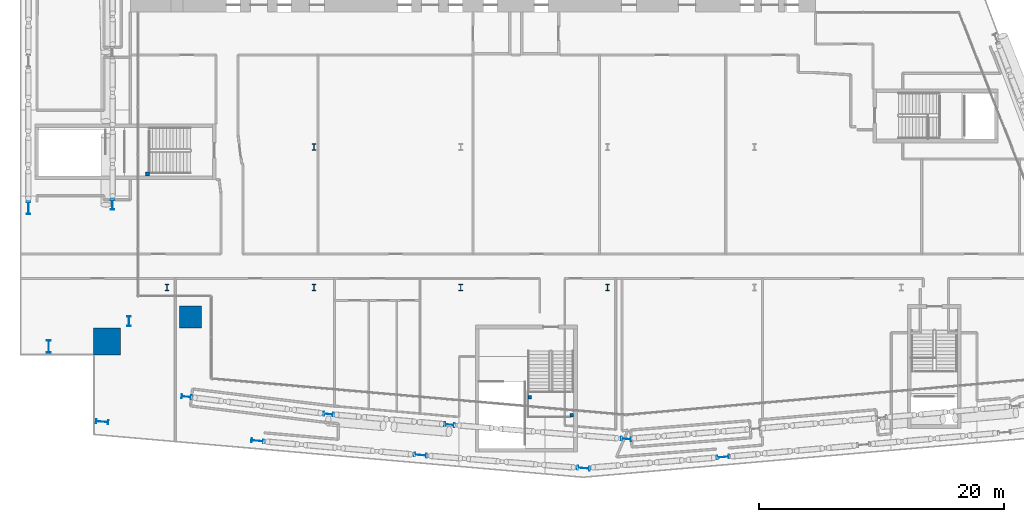
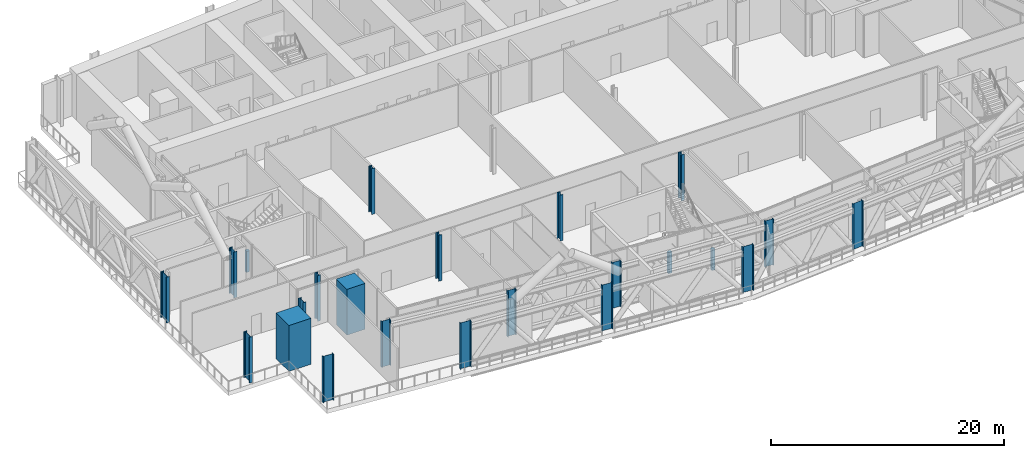
# One storey, part 1 of 39: 23 columns.
"""IFC4 building model written with IfcOpenShell, lengths in metres."""

from ifc_helpers import new_model, si_unit, direction, frame, origin, origin_2d, place, context, subcontext, project, spatial, rectangle, i_section, extrude, material, material_profile, profile_set, type_object, element, save


model = new_model("IFC4")

# Units and contexts
model_context = context("Model", 3, precision=1e-05, world=origin(), true_north=direction((0.0, 1.0)))
body_context = subcontext(model_context, "Body", "Model", "MODEL_VIEW")
ifc_project = project(units=[si_unit("LENGTHUNIT", "METRE"), si_unit("AREAUNIT", "SQUARE_METRE"), si_unit("VOLUMEUNIT", "CUBIC_METRE"), si_unit("PLANEANGLEUNIT", "RADIAN"), si_unit("MASSUNIT", "GRAM", prefix="KILO")], contexts=[model_context])

# Site, building, storey
site_placement = place(None, origin())
site = spatial("IfcSite", under=ifc_project, at=site_placement, CompositionType="ELEMENT")
building_placement = place(site_placement, origin())
building = spatial("IfcBuilding", under=site, at=building_placement, Name="Wharfspan Tower", CompositionType="ELEMENT")
storey_placement = place(building_placement, frame((0.0, 0.0, 91.899902)))
storey = spatial("IfcBuildingStorey", under=building, at=storey_placement, Name="L20", CompositionType="ELEMENT", Elevation=91.899902)

# Columns
ifc_material_1 = material(Name="Steel S355J2", Category="steel")
ifc_material_profile_1 = material_profile(ifc_material_1, i_section(OverallWidth=0.302002, OverallDepth=1.008057, WebThickness=0.020996, FlangeThickness=0.040039, FilletRadius=0.030029, at=origin_2d()))
ifc_profile_set_1 = profile_set([ifc_material_profile_1], Name="Steel S355J2")
column_type_1 = type_object("IfcColumnType", Name="Column HEM 1000", PredefinedType="COLUMN", material=ifc_profile_set_1)
for number, where, z_axis, x_axis, name in (
    (1, (6.694336, 0.528564, 0.0), (0.0, 0.0, 1.0), (-0.087156, -0.996198, 0.0), "Perimeter column PS1.1.S L20"),
    (2, (19.390869, -1.033936, 0.0), (0.0, 0.0, 1.0), (-0.087156, -0.996198, 0.0), "Perimeter column PS1.2.S L20"),
    (3, (32.724121, -2.200439, 0.0), (0.0, 0.0, 1.0), (-0.087156, -0.996198, 0.0), "Perimeter column PS1.3.S L20"),
    (4, (46.04248, -3.268066, 0.0), (0.0, 0.0, 1.0), (-0.087156, -0.996198, 0.0), "Perimeter column PS1.4.S L20"),
    (5, (57.442383, -2.36084, 0.0), (0.0, 0.0, 1.0), (0.087156, -0.996198, 0.0), "Perimeter column PS2.1.S L20"),
    (6, (0.659912, 18.0, 0.0), (0.0, 0.0, 1.0), (-1.0, 0.0, 0.0), "Perimeter column PW.2.S L20"),
    (7, (2.331787, 6.66748, 0.0), (0.0, 0.0, 1.0), (-1.0, 0.0, 0.0), "Perimeter column PW.3.S L20"),
):
    element("IfcColumn", number, at=place(storey_placement, frame(where, z_axis=z_axis, x_axis=x_axis)), inside=storey, type_object=column_type_1, Name=name, PredefinedType="COLUMN", context=body_context, shape_type="SweptSolid", body=[
        extrude(i_section(OverallWidth=0.302002, OverallDepth=1.008057, WebThickness=0.020996, FlangeThickness=0.040039, FilletRadius=0.030029, at=origin_2d()), origin(), (0.0, 0.0, 1.0), 4.800049),
    ])
ifc_material_profile_2 = material_profile(ifc_material_1, i_section(OverallWidth=0.305908, OverallDepth=0.523926, WebThickness=0.020996, FlangeThickness=0.040039, FilletRadius=0.0271, at=origin_2d()))
ifc_profile_set_2 = profile_set([ifc_material_profile_2], Name="Steel S355J2")
column_type_2 = type_object("IfcColumnType", Name="Column HEM 500", PredefinedType="COLUMN", material=ifc_profile_set_2)
for number, where, z_axis, x_axis, name in (
    (8, (12.0, 11.5, 0.0), (0.0, 0.0, 1.0), (1.0, 0.0, 0.0), "Interior column I.1.1 L20"),
    (9, (24.0, 11.5, 0.0), (0.0, 0.0, 1.0), (1.0, 0.0, 0.0), "Interior column I.1.2 L20"),
    (10, (36.0, 11.5, 0.0), (0.0, 0.0, 1.0), (1.0, 0.0, 0.0), "Interior column I.1.3 L20"),
    (11, (48.0, 11.5, 0.0), (0.0, 0.0, 1.0), (1.0, 0.0, 0.0), "Interior column I.1.4 L20"),
    (12, (24.0, 23.0, 0.0), (0.0, 0.0, 1.0), (1.0, 0.0, 0.0), "Interior column I.2.1 L20"),
):
    element("IfcColumn", number, at=place(storey_placement, frame(where, z_axis=z_axis, x_axis=x_axis)), inside=storey, type_object=column_type_2, Name=name, PredefinedType="COLUMN", context=body_context, shape_type="SweptSolid", body=[
        extrude(i_section(OverallWidth=0.305908, OverallDepth=0.523926, WebThickness=0.020996, FlangeThickness=0.040039, FilletRadius=0.0271, at=origin_2d()), origin(), (0.0, 0.0, 1.0), 4.800049),
    ])
ifc_material_profile_3 = material_profile(ifc_material_1, i_section(OverallWidth=0.302979, OverallDepth=0.813965, WebThickness=0.020996, FlangeThickness=0.040039, FilletRadius=0.030029, at=origin_2d()))
ifc_profile_set_3 = profile_set([ifc_material_profile_3], Name="Steel S355J2")
column_type_3 = type_object("IfcColumnType", Name="Column HEM 800", PredefinedType="COLUMN", material=ifc_profile_set_3)
for number, where, z_axis, x_axis, name in (
    (13, (13.590576, 2.569336, 0.0), (0.0, 0.0, 1.0), (-0.087156, -0.996198, 0.0), "Perimeter column PS1.1 L20"),
    (14, (25.213623, 1.148682, 0.0), (0.0, 0.0, 1.0), (-0.087156, -0.996198, 0.0), "Perimeter column PS1.2 L20"),
    (15, (35.089111, 0.284668, 0.0), (0.0, 0.0, 1.0), (-0.087156, -0.996198, 0.0), "Perimeter column PS1.3 L20"),
    (16, (49.53125, -0.881592, 0.0), (0.0, 0.0, 1.0), (-0.087156, -0.996198, 0.0), "Perimeter column PS1.4 L20"),
    (17, (7.540039, 18.266602, 0.0), (0.0, 0.0, 1.0), (-1.0, 0.0, 0.0), "Perimeter column PW.2 L20"),
    (18, (8.884521, 8.742676, 0.0), (0.0, 0.0, 1.0), (-1.0, 0.0, 0.0), "Perimeter column PW.3 L20"),
):
    element("IfcColumn", number, at=place(storey_placement, frame(where, z_axis=z_axis, x_axis=x_axis)), inside=storey, type_object=column_type_3, Name=name, PredefinedType="COLUMN", context=body_context, shape_type="SweptSolid", body=[
        extrude(i_section(OverallWidth=0.302979, OverallDepth=0.813965, WebThickness=0.020996, FlangeThickness=0.040039, FilletRadius=0.030029, at=origin_2d()), origin(), (0.0, 0.0, 1.0), 4.800049),
    ])
ifc_material_2 = material(Name="Concrete C40/50", Category="concrete")
ifc_material_profile_4 = material_profile(ifc_material_2, rectangle(XDim=0.300049, YDim=0.300049, at=origin_2d()))
ifc_profile_set_4 = profile_set([ifc_material_profile_4], Name="Concrete C40/50")
column_type_4 = type_object("IfcColumnType", Name="Landing pier 300 C40/50", PredefinedType="COLUMN", material=ifc_profile_set_4)
for number, where, z_axis, x_axis, name in (
    (19, (10.389893, 20.774902, 0.0), (0.0, 0.0, 1.0), (1.0, 0.0, 0.0), "ST3 landing pier L20"),
    (20, (41.63501, 2.51709, 0.0), (0.0, 0.0, 1.0), (1.0, 0.0, 0.0), "ST4 landing pier L20"),
    (21, (45.084961, 1.066895, 0.0), (0.0, 0.0, 1.0), (1.0, 0.0, 0.0), "ST4 landing pier L20"),
):
    element("IfcColumn", number, at=place(storey_placement, frame(where, z_axis=z_axis, x_axis=x_axis)), inside=storey, type_object=column_type_4, Name=name, PredefinedType="COLUMN", context=body_context, shape_type="SweptSolid", body=[
        extrude(rectangle(XDim=0.300049, YDim=0.300049, at=origin_2d()), origin(), (0.0, 0.0, 1.0), 2.200195),
    ])
ifc_material_3 = material(Name="Concrete C70/85", Category="concrete")
ifc_material_profile_5 = material_profile(ifc_material_3, rectangle(XDim=1.800049, YDim=1.800049, at=origin_2d()))
ifc_profile_set_5 = profile_set([ifc_material_profile_5], Name="Concrete C70/85")
column_type_5 = type_object("IfcColumnType", Name="Mega column 1800 C70/85", PredefinedType="COLUMN", material=ifc_profile_set_5)
column_1_placement = place(storey_placement, frame((13.899902, 9.100098, 0.0), z_axis=(0.0, 0.0, 1.0), x_axis=(1.0, 0.0, 0.0)))
element("IfcColumn", 22, at=column_1_placement, inside=storey, type_object=column_type_5, Name="Mega column MC1 L20", PredefinedType="COLUMN", context=body_context, shape_type="SweptSolid", body=[
    extrude(rectangle(XDim=1.800049, YDim=1.800049, at=origin_2d()), origin(), (0.0, 0.0, 1.0), 4.800049),
])
ifc_material_profile_6 = material_profile(ifc_material_3, rectangle(XDim=2.199951, YDim=2.199951, at=origin_2d()))
ifc_profile_set_6 = profile_set([ifc_material_profile_6], Name="Concrete C70/85")
column_type_6 = type_object("IfcColumnType", Name="Mega column 2200 C70/85", PredefinedType="COLUMN", material=ifc_profile_set_6)
column_2_placement = place(storey_placement, frame((7.100098, 7.100098, 0.0), z_axis=(0.0, 0.0, 1.0), x_axis=(1.0, 0.0, 0.0)))
element("IfcColumn", 23, at=column_2_placement, inside=storey, type_object=column_type_6, Name="Mega column MC1.S L20", PredefinedType="COLUMN", context=body_context, shape_type="SweptSolid", body=[
    extrude(rectangle(XDim=2.199951, YDim=2.199951, at=origin_2d()), origin(), (0.0, 0.0, 1.0), 4.800049),
])

save(model, "model.ifc")
